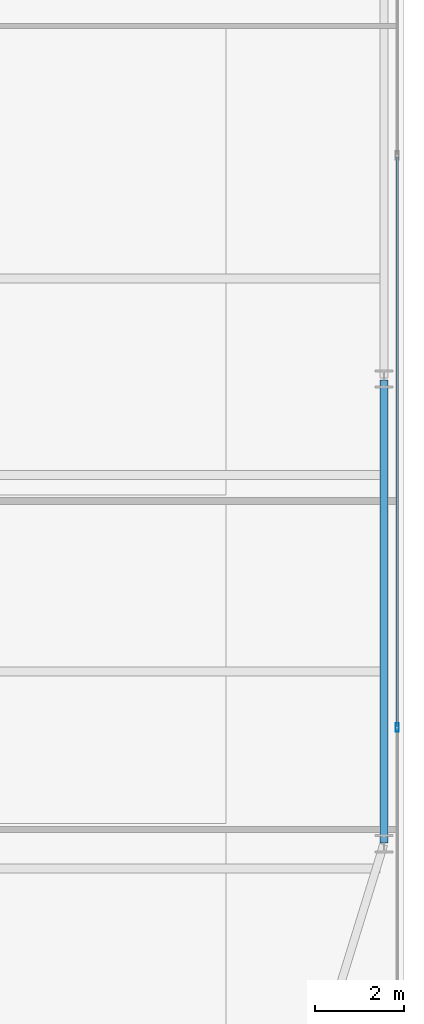
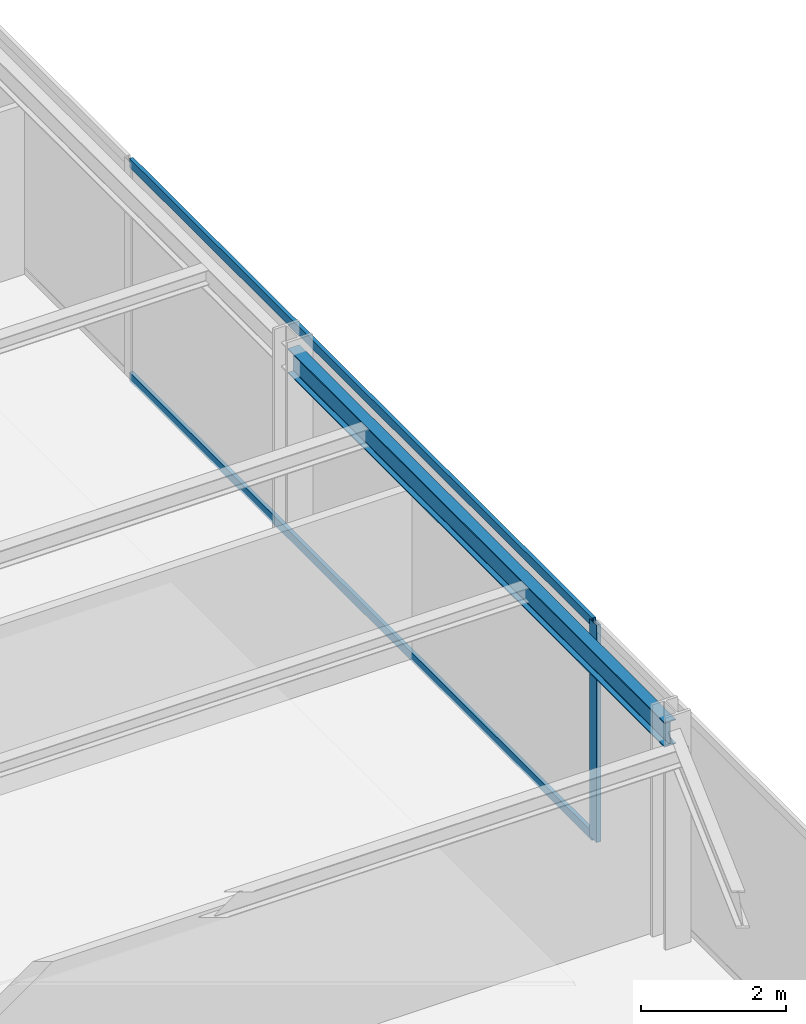
# One storey, part 18 of 30: 3 members, 1 beam, 1 element without a shape of its own.
"""IFC4 building model written with IfcOpenShell, lengths in metres."""

from ifc_helpers import new_model, si_unit, direction, frame, origin, origin_2d, place, context, subcontext, project, spatial, hollow_rectangle, i_section, extrude, source, transform, mapped, material, layer, layer_set, material_profile, profile_set, type_object, type_shapes, element, aggregate, save


model = new_model("IFC4")

# Units and contexts
model_context = context("Model", 3, precision=1e-05, world=origin(), true_north=direction((0.0, 1.0)))
body_context = subcontext(model_context, "Body", "Model", "MODEL_VIEW")
ifc_project = project(units=[si_unit("LENGTHUNIT", "METRE"), si_unit("AREAUNIT", "SQUARE_METRE"), si_unit("VOLUMEUNIT", "CUBIC_METRE"), si_unit("PLANEANGLEUNIT", "RADIAN"), si_unit("MASSUNIT", "GRAM", prefix="KILO")], contexts=[model_context])

# Site, building, storey
site_placement = place(None, origin())
site = spatial("IfcSite", under=ifc_project, at=site_placement, CompositionType="ELEMENT")
building_placement = place(site_placement, origin())
building = spatial("IfcBuilding", under=site, at=building_placement, Name="Varnel Quay Broadcast Tower", CompositionType="ELEMENT")
storey_placement = place(building_placement, frame((0.0, 0.0, 62.699951171875)))
storey = spatial("IfcBuildingStorey", under=building, at=storey_placement, Name="L14", CompositionType="ELEMENT", Elevation=62.699951171875)

# Beam
ifc_material_1 = material(Name="Structural Steel CSA G40.21 350W", Category="steel")
ifc_material_profile_1 = material_profile(ifc_material_1, i_section(OverallWidth=0.180908203125, OverallDepth=0.4169921875, WebThickness=0.010986328125, FlangeThickness=0.018310546875, FilletRadius=0.011962890625, at=origin_2d()), Name="W410X85")
ifc_profile_set_1 = profile_set([ifc_material_profile_1], Name="Structural Steel CSA G40.21 350W")
beam_type = type_object("IfcBeamType", Name="Beam_W410X85", PredefinedType="SPANDREL", material=ifc_profile_set_1)
shared_shape_1 = source(origin(), body_context, "Body", "SweptSolid", [
    extrude(i_section(OverallWidth=0.180908203125, OverallDepth=0.4169921875, WebThickness=0.010986328125, FlangeThickness=0.018310546875, FilletRadius=0.011962890625, at=origin_2d()), origin(), (0.0, 0.0, 1.0), 10.35986328125),
])
type_shapes(beam_type, [shared_shape_1])
beam_placement = place(storey_placement, frame((65.550048828125, 15.02001953125, 3.441650390625), z_axis=(0.0, 1.0, 0.0), x_axis=(-1.0, 0.0, 0.0)))
element("IfcBeam", 1, at=beam_placement, inside=storey, type_object=beam_type, Name="L14 East Spandrel TC-E1-TC-E2", PredefinedType="SPANDREL", context=body_context, shape_type="MappedRepresentation", body=[
    mapped(shared_shape_1, transform((0.0, 0.0, 0.0), x_axis=(1.0, 0.0, 0.0), y_axis=(0.0, 1.0, 0.0), z_axis=(0.0, 0.0, 1.0), scale=1.0)),
])

# Curtain wall, members
ifc_material_2 = material(Name="Anodised Bronze Aluminium 6063-T6", Category="aluminium")
ifc_layer = layer(ifc_material_2, 0.18994140625, Name="Anodised Bronze Aluminium 6063-T6")
ifc_layer_set = layer_set([ifc_layer], Name="Anodised Bronze Aluminium 6063-T6")
curtain_wall_type = type_object("IfcCurtainWallType", Name="CW_LowerTower", PredefinedType="NOTDEFINED", material=ifc_layer_set)
curtain_wall_placement = place(storey_placement, origin())
curtain_wall = element("IfcCurtainWall", 2, at=curtain_wall_placement, inside=storey, type_object=curtain_wall_type, Name="L14 East Unitised Curtain Wall", PredefinedType="NOTDEFINED")
ifc_material_profile_2 = material_profile(ifc_material_2, hollow_rectangle(XDim=0.06005859375, YDim=0.14501953125, WallThickness=0.00341796875, at=origin_2d()), Name="ALU60X145X3.5")
ifc_profile_set_2 = profile_set([ifc_material_profile_2], Name="Anodised Bronze Aluminium 6063-T6")
member_type_1 = type_object("IfcMemberType", Name="Tran_CWS-02", PredefinedType="USERDEFINED", material=ifc_profile_set_2)
shared_shape_2 = source(origin(), body_context, "Body", "SweptSolid", [
    extrude(hollow_rectangle(XDim=0.06005859375, YDim=0.14501953125, WallThickness=0.00341796875, at=origin_2d()), origin(), (0.0, 0.0, 1.0), 12.72998046875),
])
type_shapes(member_type_1, [shared_shape_2])
member_1_placement = place(storey_placement, frame((65.85009765625, 17.635009765625, 0.030029296875), z_axis=(0.0, 1.0, 0.0), x_axis=(-1.0, 0.0, 0.0)))
member_1 = element("IfcMember", 3, at=member_1_placement, type_object=member_type_1, Name="CWS-02 transom 2.1", ObjectType="TRANSOM", PredefinedType="USERDEFINED", context=body_context, shape_type="MappedRepresentation", body=[
    mapped(shared_shape_2, transform((0.0, 0.0, 0.0), x_axis=(1.0, 0.0, 0.0), y_axis=(0.0, 1.0, 0.0), z_axis=(0.0, 0.0, 1.0), scale=1.0)),
])
member_2_placement = place(storey_placement, frame((65.85009765625, 17.635009765625, 3.6201171875), z_axis=(0.0, 1.0, 0.0), x_axis=(-1.0, 0.0, 0.0)))
member_2 = element("IfcMember", 4, at=member_2_placement, type_object=member_type_1, Name="CWS-02 transom 2.2", ObjectType="TRANSOM", PredefinedType="USERDEFINED", context=body_context, shape_type="MappedRepresentation", body=[
    mapped(shared_shape_2, transform((0.0, 0.0, 0.0), x_axis=(1.0, 0.0, 0.0), y_axis=(0.0, 1.0, 0.0), z_axis=(0.0, 0.0, 1.0), scale=1.0)),
])
ifc_material_profile_3 = material_profile(ifc_material_2, hollow_rectangle(XDim=0.070068359375, YDim=0.18994140625, WallThickness=0.00390625, at=origin_2d()), Name="ALU70X190X4")
ifc_profile_set_3 = profile_set([ifc_material_profile_3], Name="Anodised Bronze Aluminium 6063-T6")
member_type_2 = type_object("IfcMemberType", Name="Mull_CWS-02", PredefinedType="MULLION", material=ifc_profile_set_3)
shared_shape_3 = source(origin(), body_context, "Body", "SweptSolid", [
    extrude(hollow_rectangle(XDim=0.070068359375, YDim=0.18994140625, WallThickness=0.00390625, at=origin_2d()), origin(), (0.0, 0.0, 1.0), 3.650146484375),
])
type_shapes(member_type_2, [shared_shape_3])
member_3_placement = place(storey_placement, frame((65.85009765625, 17.60009765625, 0.0), z_axis=(0.0, 0.0, 1.0), x_axis=(-1.0, 0.0, 0.0)))
member_3 = element("IfcMember", 5, at=member_3_placement, type_object=member_type_2, Name="CWS-02 mullion 2", PredefinedType="MULLION", context=body_context, shape_type="MappedRepresentation", body=[
    mapped(shared_shape_3, transform((0.0, 0.0, 0.0), x_axis=(1.0, 0.0, 0.0), y_axis=(0.0, 1.0, 0.0), z_axis=(0.0, 0.0, 1.0), scale=1.0)),
])
aggregate(curtain_wall, [member_3, member_1, member_2])

save(model, "model.ifc")
